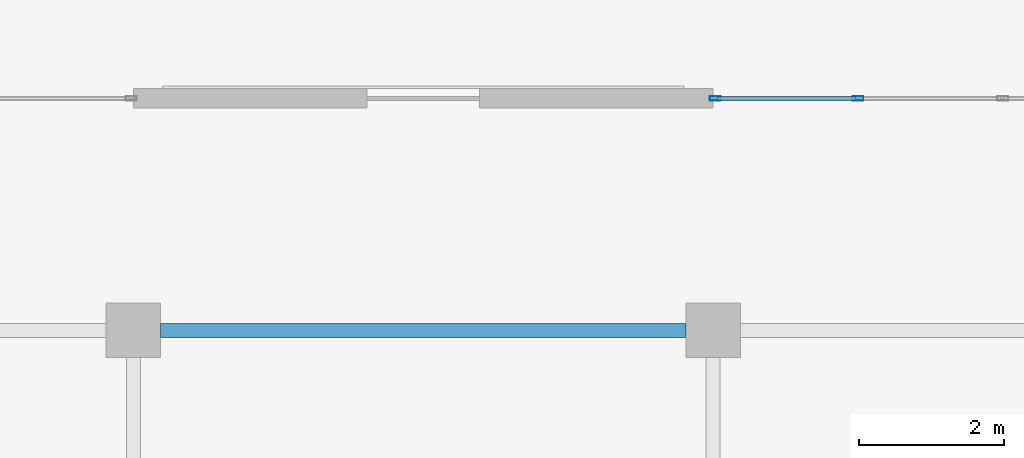
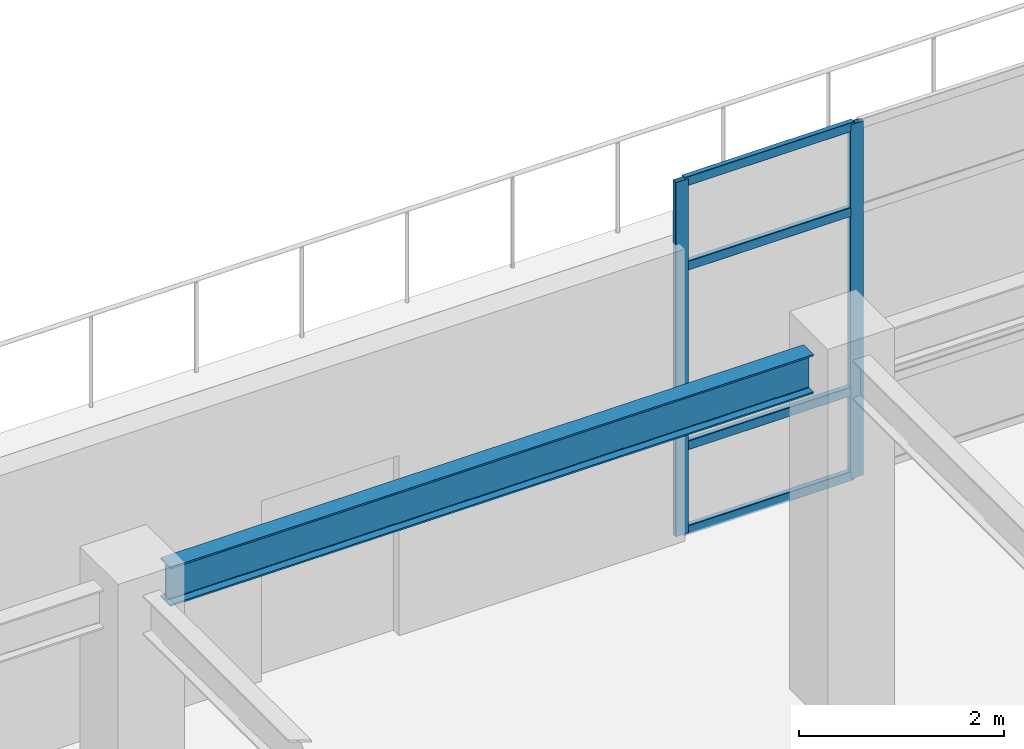
# One storey, part 17 of 42: 6 members, 1 beam, 1 element without a shape of its own.
"""IFC4 building model written with IfcOpenShell, lengths in metres."""

from ifc_helpers import new_model, si_unit, direction, frame, origin, origin_2d, place, context, subcontext, project, spatial, hollow_rectangle, i_section, extrude, material, material_profile, profile_set, type_object, element, aggregate, save


model = new_model("IFC4")

# Units and contexts
model_context = context("Model", 3, precision=1e-05, world=origin(), true_north=direction((0.0, 1.0)))
body_context = subcontext(model_context, "Body", "Model", "MODEL_VIEW")
ifc_project = project(units=[si_unit("LENGTHUNIT", "METRE"), si_unit("AREAUNIT", "SQUARE_METRE"), si_unit("VOLUMEUNIT", "CUBIC_METRE"), si_unit("PLANEANGLEUNIT", "RADIAN"), si_unit("MASSUNIT", "GRAM", prefix="KILO")], contexts=[model_context])

# Site, building, storey
site_placement = place(None, origin())
site = spatial("IfcSite", under=ifc_project, at=site_placement, CompositionType="ELEMENT")
building_placement = place(site_placement, origin())
building = spatial("IfcBuilding", under=site, at=building_placement, Name="Solmirada Galleria", CompositionType="ELEMENT")
storey_placement = place(building_placement, frame((0.0, 0.0, 28.39990234375)))
storey = spatial("IfcBuildingStorey", under=building, at=storey_placement, Name="L06", CompositionType="ELEMENT", Elevation=28.39990234375)

# Beam
ifc_material_1 = material(Name="Steel S355 / ASTM A992 Grade 50", Category="steel")
ifc_material_profile_1 = material_profile(ifc_material_1, i_section(OverallWidth=0.193115234375, OverallDepth=0.466064453125, WebThickness=0.011474609375, FlangeThickness=0.01904296875, FilletRadius=0.013916015625, at=origin_2d()), Name="W18X65")
ifc_profile_set_1 = profile_set([ifc_material_profile_1], Name="Steel S355 / ASTM A992 Grade 50")
beam_type = type_object("IfcBeamType", Name="BM-GIRD-W18C", PredefinedType="BEAM", material=ifc_profile_set_1)
beam_placement = place(storey_placement, frame((120.375, 16.0, 4.0400390625), z_axis=(1.0, 0.0, 0.0), x_axis=(0.0, 1.0, 0.0)))
element("IfcBeam", 1, at=beam_placement, inside=storey, type_object=beam_type, Name="South roof girder X=120..128", PredefinedType="BEAM", context=body_context, shape_type="SweptSolid", body=[
    extrude(i_section(OverallWidth=0.193115234375, OverallDepth=0.466064453125, WebThickness=0.011474609375, FlangeThickness=0.01904296875, FilletRadius=0.013916015625, at=origin_2d()), origin(), (0.0, 0.0, 1.0), 7.25),
])

# Curtain wall, members
ifc_material_2 = material(Name="Impact-resistant low-E double glazing", Category="glass")
curtain_wall_type = type_object("IfcCurtainWallType", Name="CW-FZ5-L06-B4-L080", PredefinedType="NOTDEFINED", material=ifc_material_2)
curtain_wall_placement = place(storey_placement, origin())
curtain_wall = element("IfcCurtainWall", 2, at=curtain_wall_placement, inside=storey, type_object=curtain_wall_type, Name="Terrace and arcade storefront CW-L06-201", PredefinedType="NOTDEFINED")
ifc_material_3 = material(Name="Anodised aluminium framing", Category="aluminium")
ifc_material_profile_2 = material_profile(ifc_material_3, hollow_rectangle(XDim=0.06005859375, YDim=0.14990234375, WallThickness=0.00341796875, InnerFilletRadius=0.00341796875, OuterFilletRadius=0.007080078125, at=origin_2d()), Name="ALU-MULL-150X60")
ifc_profile_set_2 = profile_set([ifc_material_profile_2], Name="Anodised aluminium framing")
member_type_1 = type_object("IfcMemberType", Name="CW-MULL-150", PredefinedType="MULLION", material=ifc_profile_set_2)
member_1_placement = place(storey_placement, frame((128.030029296875, 19.199951171875, 0.0), z_axis=(0.0, 0.0, 1.0), x_axis=(0.0, 1.0, 0.0)))
member_1 = element("IfcMember", 3, at=member_1_placement, type_object=member_type_1, Name="CW39 mullion 1", PredefinedType="MULLION", context=body_context, shape_type="SweptSolid", body=[
    extrude(hollow_rectangle(XDim=0.06005859375, YDim=0.14990234375, WallThickness=0.00341796875, InnerFilletRadius=0.00341796875, OuterFilletRadius=0.007080078125, at=origin_2d()), origin(), (0.0, 0.0, 1.0), 4.22021484375),
])
member_2_placement = place(storey_placement, frame((130.0, 19.199951171875, 0.0), z_axis=(0.0, 0.0, 1.0), x_axis=(0.0, 1.0, 0.0)))
member_2 = element("IfcMember", 4, at=member_2_placement, type_object=member_type_1, Name="CW39 mullion 2", PredefinedType="MULLION", context=body_context, shape_type="SweptSolid", body=[
    extrude(hollow_rectangle(XDim=0.06005859375, YDim=0.14990234375, WallThickness=0.00341796875, InnerFilletRadius=0.00341796875, OuterFilletRadius=0.007080078125, at=origin_2d()), origin(), (0.0, 0.0, 1.0), 4.22021484375),
])
ifc_material_profile_3 = material_profile(ifc_material_3, hollow_rectangle(XDim=0.06005859375, YDim=0.110107421875, WallThickness=0.003173828125, InnerFilletRadius=0.003173828125, OuterFilletRadius=0.00634765625, at=origin_2d()), Name="ALU-TRAN-110X60")
ifc_profile_set_3 = profile_set([ifc_material_profile_3], Name="Anodised aluminium framing")
member_type_2 = type_object("IfcMemberType", Name="CW-TRAN-110", PredefinedType="USERDEFINED", material=ifc_profile_set_3)
member_3_placement = place(storey_placement, frame((128.06005859375, 19.199951171875, 0.030029296875), z_axis=(1.0, 0.0, 0.0), x_axis=(0.0, 1.0, 0.0)))
member_3 = element("IfcMember", 5, at=member_3_placement, type_object=member_type_2, Name="CW39 transom 1.1", ObjectType="TRANSOM", PredefinedType="USERDEFINED", context=body_context, shape_type="SweptSolid", body=[
    extrude(hollow_rectangle(XDim=0.06005859375, YDim=0.110107421875, WallThickness=0.003173828125, InnerFilletRadius=0.003173828125, OuterFilletRadius=0.00634765625, at=origin_2d()), origin(), (0.0, 0.0, 1.0), 1.909912109375),
])
member_4_placement = place(storey_placement, frame((128.06005859375, 19.199951171875, 1.0400390625), z_axis=(1.0, 0.0, 0.0), x_axis=(0.0, 1.0, 0.0)))
member_4 = element("IfcMember", 6, at=member_4_placement, type_object=member_type_2, Name="CW39 transom 1.2", ObjectType="TRANSOM", PredefinedType="USERDEFINED", context=body_context, shape_type="SweptSolid", body=[
    extrude(hollow_rectangle(XDim=0.06005859375, YDim=0.110107421875, WallThickness=0.003173828125, InnerFilletRadius=0.003173828125, OuterFilletRadius=0.00634765625, at=origin_2d()), origin(), (0.0, 0.0, 1.0), 1.909912109375),
])
member_5_placement = place(storey_placement, frame((128.06005859375, 19.199951171875, 3.18017578125), z_axis=(1.0, 0.0, 0.0), x_axis=(0.0, 1.0, 0.0)))
member_5 = element("IfcMember", 7, at=member_5_placement, type_object=member_type_2, Name="CW39 transom 1.3", ObjectType="TRANSOM", PredefinedType="USERDEFINED", context=body_context, shape_type="SweptSolid", body=[
    extrude(hollow_rectangle(XDim=0.06005859375, YDim=0.110107421875, WallThickness=0.003173828125, InnerFilletRadius=0.003173828125, OuterFilletRadius=0.00634765625, at=origin_2d()), origin(), (0.0, 0.0, 1.0), 1.909912109375),
])
member_6_placement = place(storey_placement, frame((128.06005859375, 19.199951171875, 4.190185546875), z_axis=(1.0, 0.0, 0.0), x_axis=(0.0, 1.0, 0.0)))
member_6 = element("IfcMember", 8, at=member_6_placement, type_object=member_type_2, Name="CW39 transom 1.4", ObjectType="TRANSOM", PredefinedType="USERDEFINED", context=body_context, shape_type="SweptSolid", body=[
    extrude(hollow_rectangle(XDim=0.06005859375, YDim=0.110107421875, WallThickness=0.003173828125, InnerFilletRadius=0.003173828125, OuterFilletRadius=0.00634765625, at=origin_2d()), origin(), (0.0, 0.0, 1.0), 1.909912109375),
])
aggregate(curtain_wall, [member_1, member_2, member_3, member_4, member_5, member_6])

save(model, "model.ifc")
